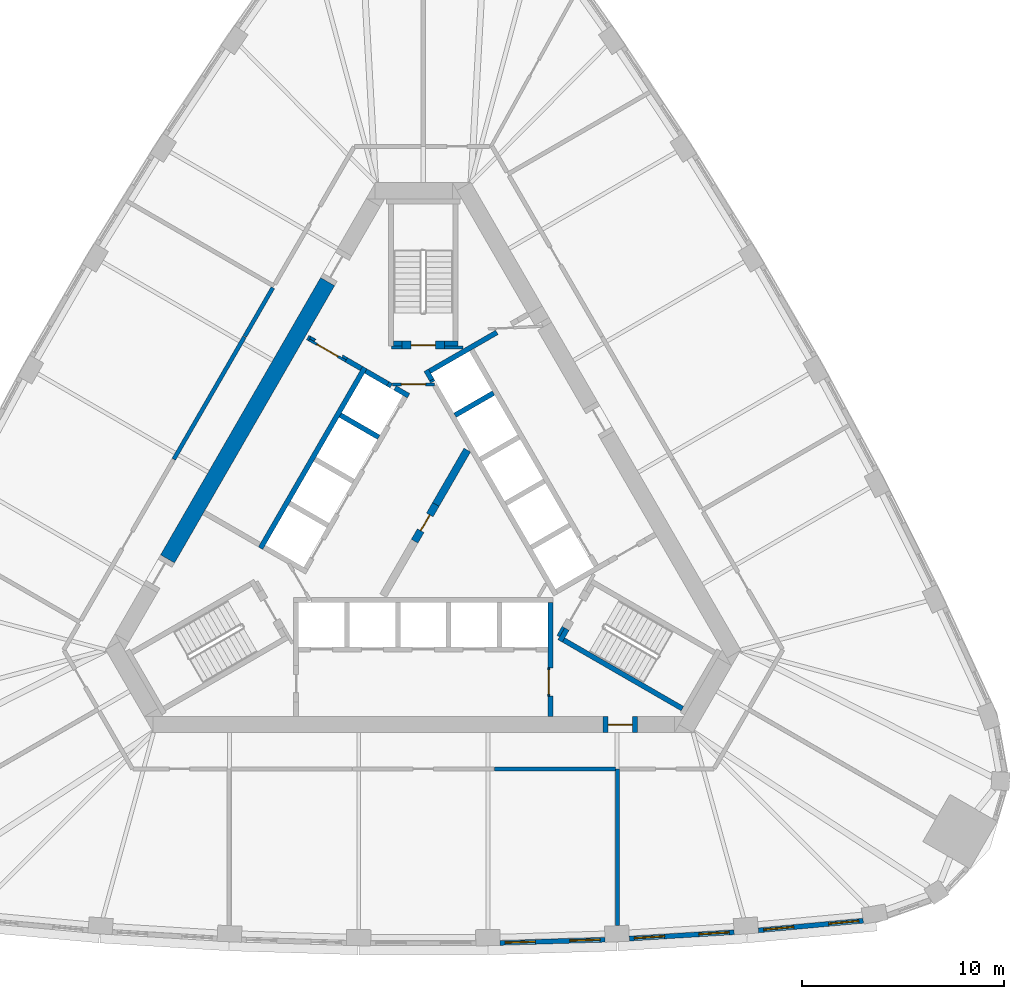
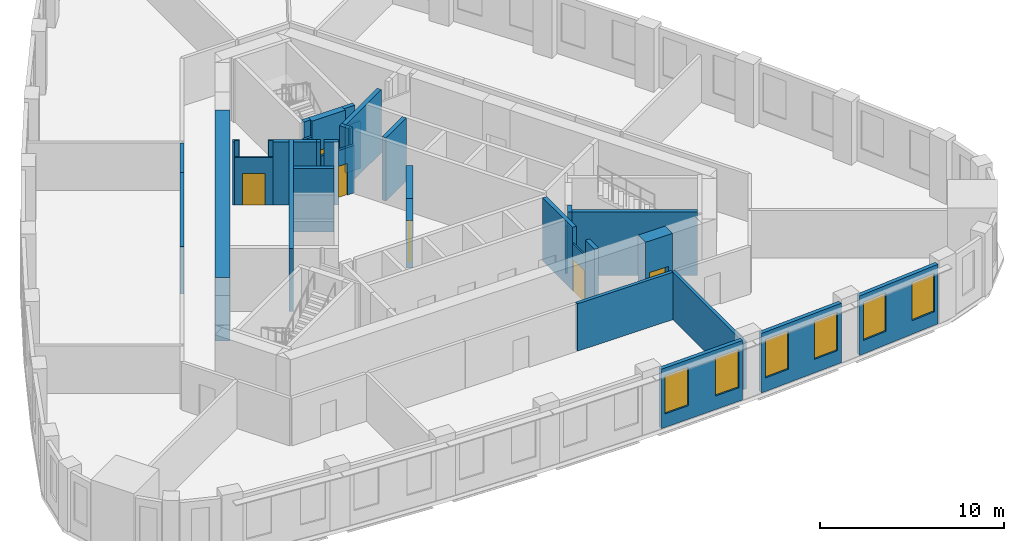
# One storey, part 5 of 9: 37 walls, 6 doors, 6 windows, 12 openings.
"""IFC4 building model written with IfcOpenShell, lengths in metres."""

from ifc_helpers import new_model, si_unit, direction, frame, frame_2d, origin, place, context, subcontext, project, spatial, polyline, rectangle, outline, extrude, material, layer, layer_set, type_object, element, fill, save


model = new_model("IFC4")

# Units and contexts
model_context = context("Model", 3, precision=1e-05, world=origin(), true_north=direction((0.0, 1.0)))
body_context = subcontext(model_context, "Body", "Model", "MODEL_VIEW")
ifc_project = project(units=[si_unit("LENGTHUNIT", "METRE"), si_unit("AREAUNIT", "SQUARE_METRE"), si_unit("VOLUMEUNIT", "CUBIC_METRE"), si_unit("PLANEANGLEUNIT", "RADIAN"), si_unit("MASSUNIT", "GRAM", prefix="KILO")], contexts=[model_context])

# Site, building, storey
site_placement = place(None, origin())
site = spatial("IfcSite", under=ifc_project, at=site_placement, CompositionType="ELEMENT")
building_placement = place(site_placement, origin())
building = spatial("IfcBuilding", under=site, at=building_placement, Name="Mestral Congress Tower", CompositionType="ELEMENT")
storey_placement = place(building_placement, frame((0.0, 0.0, 187.800048828125)))
storey = spatial("IfcBuildingStorey", under=building, at=storey_placement, Name="L44", CompositionType="ELEMENT", Elevation=187.800048828125)

# Walls
ifc_material_1 = material(Name="Fire-rated board partition")
ifc_layer_1 = layer(ifc_material_1, 0.14990234375)
ifc_layer_set_1 = layer_set([ifc_layer_1], Name="Fire-rated board partition")
wall_type_1 = type_object("IfcWallType", Name="Core partition 150", PredefinedType="PARTITIONING", material=ifc_layer_set_1)
wall_1_placement = place(storey_placement, frame((1.050048828125, 8.62548828125, 0.0), z_axis=(0.0, 0.0, 1.0), x_axis=(1.0, 0.0, 0.0)))
element("IfcWall", 1, at=wall_1_placement, inside=storey, type_object=wall_type_1, Name="L44 core wall", PredefinedType="PARTITIONING", context=body_context, shape_type="SweptSolid", body=[
    extrude(rectangle(XDim=0.9287109375, YDim=0.14990234375, at=frame_2d((0.46435546875, 0.0))), origin(), (0.0, 0.0, 1.0), 3.14990234375),
])
for number, where, z_axis, x_axis, name in (
    (2, (-1.56396484375, 8.62548828125, 0.0), (0.0, 0.0, 1.0), (1.0, 0.0, 0.0), "L44 core wall"),
    (3, (6.94482421875, -5.22216796875, 0.0), (0.0, 0.0, 1.0), (-0.499818422106, -0.866130212453, 0.0), "L44 core wall"),
):
    element("IfcWall", number, at=place(storey_placement, frame(where, z_axis=z_axis, x_axis=x_axis)), inside=storey, type_object=wall_type_1, Name=name, PredefinedType="PARTITIONING", context=body_context, shape_type="SweptSolid", body=[
        extrude(rectangle(XDim=0.513916015625, YDim=0.14990234375, at=frame_2d((0.2568359375, 0.0))), origin(), (0.0, 0.0, 1.0), 3.14990234375),
    ])
placement = place(storey_placement, origin())
element("IfcWall", 4, at=placement, inside=storey, type_object=wall_type_1, Name="L44 core wall", PredefinedType="PARTITIONING", context=body_context, shape_type="SweptSolid", body=[
    extrude(outline(polyline([(2.016845703125, 3.64306640625), (2.341552734375, 3.45556640625), (0.784912109375, 0.759521484375), (0.460205078125, 0.947021484375), (2.016845703125, 3.64306640625)])), origin(), (0.0, 0.0, 1.0), 3.14990234375),
])

# Wall, opening, door
wall_3_placement = place(storey_placement, frame((-1.534423828125, 6.800048828125, 0.0), z_axis=(0.0, 0.0, 1.0), x_axis=(1.0, 0.0, 0.0)))
wall_3 = element("IfcWall", 5, at=wall_3_placement, inside=storey, type_object=wall_type_1, Name="L44 door wall", PredefinedType="PARTITIONING", context=body_context, shape_type="SweptSolid", body=[
    extrude(rectangle(XDim=2.099853515625, YDim=0.14990234375, at=frame_2d((1.0498046875, 0.0))), origin(), (0.0, 0.0, 1.0), 3.14990234375),
])
opening_1_placement = place(wall_3_placement, frame((0.449951171875, 0.0, 0.0)))
opening_1 = element("IfcOpeningElement", 6, at=opening_1_placement, cuts=wall_3, Name="Opening CD2-FF", PredefinedType="OPENING", context=body_context, shape_type="SweptSolid", body=[
    extrude(rectangle(XDim=1.199951171875, YDim=2.10009765625, at=frame_2d((0.60009765625, 1.050048828125))), frame((0.0, 0.0849609375, 0.0), z_axis=(0.0, -1.0, 0.0), x_axis=(1.0, 0.0, 0.0)), (0.0, 0.0, 1.0), 0.169921875),
])
ifc_material_2 = material(Name="Fire-rated steel door set", Category="steel")
door_type_1 = type_object("IfcDoorType", Name="Core door CD 1200x2100", OperationType="SINGLE_SWING_LEFT", PredefinedType="DOOR", material=ifc_material_2)
door_1_placement = place(opening_1_placement, origin())
door_1 = element("IfcDoor", 7, at=door_1_placement, inside=storey, type_object=door_type_1, Name="Door CD2-FF", OperationType="SINGLE_SWING_LEFT", OverallHeight=2.10009765625, OverallWidth=1.199951171875, PredefinedType="DOOR", context=body_context, shape_type="SweptSolid", body=[
    extrude(rectangle(XDim=1.199951171875, YDim=2.10009765625, at=frame_2d((0.60009765625, 1.050048828125))), frame((0.0, 0.02490234375, 0.0), z_axis=(0.0, -1.0, 0.0), x_axis=(1.0, 0.0, 0.0)), (0.0, 0.0, 1.0), 0.050048828125),
])
fill(opening_1, door_1)

ifc_layer_2 = layer(ifc_material_1, 0.1201171875)
ifc_layer_set_2 = layer_set([ifc_layer_2], Name="Fire-rated board partition")
wall_type_2 = type_object("IfcWallType", Name="Core partition 150 door-wall 120", PredefinedType="PARTITIONING", material=ifc_layer_set_2)
wall_4_placement = place(storey_placement, frame((-5.65869140625, 9.01171875, 0.0), z_axis=(0.0, 0.0, 1.0), x_axis=(0.866009402589, -0.500027713859, 0.0)))
wall_4 = element("IfcWall", 8, at=wall_4_placement, inside=storey, type_object=wall_type_2, Name="L44 door wall", PredefinedType="PARTITIONING", context=body_context, shape_type="SweptSolid", body=[
    extrude(rectangle(XDim=2.10009765625, YDim=0.1201171875, at=frame_2d((1.050048828125, 0.0))), origin(), (0.0, 0.0, 1.0), 3.14990234375),
])
opening_2_placement = place(wall_4_placement, frame((0.449951171875, 0.0, 0.0)))
opening_2 = element("IfcOpeningElement", 9, at=opening_2_placement, cuts=wall_4, Name="Opening LB2-WL2", PredefinedType="OPENING", context=body_context, shape_type="SweptSolid", body=[
    extrude(rectangle(XDim=1.199951171875, YDim=2.10009765625, at=frame_2d((0.60009765625, 1.050048828125))), frame((0.0, 0.070068359375, 0.0), z_axis=(0.0, -1.0, 0.0), x_axis=(1.0, 0.0, 0.0)), (0.0, 0.0, 1.0), 0.14013671875),
])
door_type_2 = type_object("IfcDoorType", Name="Core door LB 1200x2100", OperationType="SINGLE_SWING_LEFT", PredefinedType="DOOR", material=ifc_material_2)
door_2_placement = place(opening_2_placement, origin())
door_2 = element("IfcDoor", 10, at=door_2_placement, inside=storey, type_object=door_type_2, Name="Door LB2-WL2", OperationType="SINGLE_SWING_LEFT", OverallHeight=2.10009765625, OverallWidth=1.199951171875, PredefinedType="DOOR", context=body_context, shape_type="SweptSolid", body=[
    extrude(rectangle(XDim=1.199951171875, YDim=2.10009765625, at=frame_2d((0.60009765625, 1.050048828125))), frame((0.0, 0.02490234375, 0.0), z_axis=(0.0, -1.0, 0.0), x_axis=(1.0, 0.0, 0.0)), (0.0, 0.0, 1.0), 0.050048828125),
])
fill(opening_2, door_2)

ifc_layer_3 = layer(ifc_material_1, 0.375)
ifc_layer_set_3 = layer_set([ifc_layer_3], Name="Fire-rated board partition")
wall_type_3 = type_object("IfcWallType", Name="Core partition 150 door-wall 375", PredefinedType="PARTITIONING", material=ifc_layer_set_3)
wall_5_placement = place(storey_placement, frame((-0.427490234375, -0.965576171875, 0.0), z_axis=(0.0, 0.0, 1.0), x_axis=(0.49994051562, 0.866059744384, 0.0)))
wall_5 = element("IfcWall", 11, at=wall_5_placement, inside=storey, type_object=wall_type_3, Name="L44 door wall", PredefinedType="PARTITIONING", context=body_context, shape_type="SweptSolid", body=[
    extrude(rectangle(XDim=2.099853515625, YDim=0.375, at=frame_2d((1.0498046875, 0.0))), origin(), (0.0, 0.0, 1.0), 3.14990234375),
])
opening_3_placement = place(wall_5_placement, frame((0.60009765625, 0.0, 0.0)))
opening_3 = element("IfcOpeningElement", 12, at=opening_3_placement, cuts=wall_5, Name="Opening CD1-HUB0", PredefinedType="OPENING", context=body_context, shape_type="SweptSolid", body=[
    extrude(rectangle(XDim=0.89990234375, YDim=2.10009765625, at=frame_2d((0.449951171875, 1.050048828125))), frame((0.0, 0.197509765625, 0.0), z_axis=(0.0, -1.0, 0.0), x_axis=(1.0, 0.0, 0.0)), (0.0, 0.0, 1.0), 0.39501953125),
])
door_type_3 = type_object("IfcDoorType", Name="Core door CD 900x2100", OperationType="SINGLE_SWING_LEFT", PredefinedType="DOOR", material=ifc_material_2)
door_3_placement = place(opening_3_placement, origin())
door_3 = element("IfcDoor", 13, at=door_3_placement, inside=storey, type_object=door_type_3, Name="Door CD1-HUB0", OperationType="SINGLE_SWING_LEFT", OverallHeight=2.10009765625, OverallWidth=0.89990234375, PredefinedType="DOOR", context=body_context, shape_type="SweptSolid", body=[
    extrude(rectangle(XDim=0.89990234375, YDim=2.10009765625, at=frame_2d((0.449951171875, 1.050048828125))), frame((0.0, 0.02490234375, 0.0), z_axis=(0.0, -1.0, 0.0), x_axis=(1.0, 0.0, 0.0)), (0.0, 0.0, 1.0), 0.050048828125),
])
fill(opening_3, door_3)

ifc_layer_4 = layer(ifc_material_1, 0.090087890625)
ifc_layer_set_4 = layer_set([ifc_layer_4], Name="Fire-rated board partition")
wall_type_4 = type_object("IfcWallType", Name="Core partition 150 door-wall 90", PredefinedType="PARTITIONING", material=ifc_layer_set_4)
wall_6_placement = place(storey_placement, frame((6.219970703125, -7.23681640625, 0.0), z_axis=(0.0, 0.0, 1.0), x_axis=(0.0, -1.0, 0.0)))
wall_6 = element("IfcWall", 14, at=wall_6_placement, inside=storey, type_object=wall_type_4, Name="L44 door wall", PredefinedType="PARTITIONING", context=body_context, shape_type="SweptSolid", body=[
    extrude(rectangle(XDim=1.400146484375, YDim=0.090087890625, at=frame_2d((0.7001953125, 0.0))), origin(), (0.0, 0.0, 1.0), 3.14990234375),
])
opening_4_placement = place(wall_6_placement, frame((0.10009765625, 0.0, 0.0)))
opening_4 = element("IfcOpeningElement", 15, at=opening_4_placement, cuts=wall_6, Name="Opening LB0-WL1", PredefinedType="OPENING", context=body_context, shape_type="SweptSolid", body=[
    extrude(rectangle(XDim=1.199951171875, YDim=2.10009765625, at=frame_2d((0.60009765625, 1.050048828125))), frame((0.0, 0.054931640625, 0.0), z_axis=(0.0, -1.0, 0.0), x_axis=(1.0, 0.0, 0.0)), (0.0, 0.0, 1.0), 0.110107421875),
])
door_4_placement = place(opening_4_placement, origin())
door_4 = element("IfcDoor", 16, at=door_4_placement, inside=storey, type_object=door_type_2, Name="Door LB0-WL1", OperationType="SINGLE_SWING_LEFT", OverallHeight=2.10009765625, OverallWidth=1.199951171875, PredefinedType="DOOR", context=body_context, shape_type="SweptSolid", body=[
    extrude(rectangle(XDim=1.199951171875, YDim=2.10009765625, at=frame_2d((0.60009765625, 1.050048828125))), frame((0.0, 0.02490234375, 0.0), z_axis=(0.0, -1.0, 0.0), x_axis=(1.0, 0.0, 0.0)), (0.0, 0.0, 1.0), 0.050048828125),
])
fill(opening_4, door_4)

# Wall
ifc_material_3 = material(Name="Concrete C60/75", Category="concrete")
ifc_layer_5 = layer(ifc_material_3, 0.800048828125)
ifc_layer_set_5 = layer_set([ifc_layer_5], Name="Concrete C60/75")
wall_type_5 = type_object("IfcWallType", Name="Core wall RC 800", PredefinedType="SOLIDWALL", material=ifc_layer_set_5)
wall_7_placement = place(storey_placement, frame((-12.668212890625, -1.841796875, 0.0), z_axis=(0.0, 0.0, 1.0), x_axis=(0.500003640647, 0.866023301845, 0.0)))
element("IfcWall", 17, at=wall_7_placement, inside=storey, type_object=wall_type_5, Name="L44 core wall", PredefinedType="SOLIDWALL", context=body_context, shape_type="SweptSolid", body=[
    extrude(rectangle(XDim=15.8583984375, YDim=0.800048828125, at=frame_2d((7.92919921875, 0.0))), origin(), (0.0, 0.0, 1.0), 4.199951171875),
])

# Wall, opening, door
wall_8_placement = place(storey_placement, frame((10.6044921875, -10.050048828125, 0.0), z_axis=(0.0, 0.0, 1.0), x_axis=(-1.0, 0.0, 0.0)))
wall_8 = element("IfcWall", 18, at=wall_8_placement, inside=storey, type_object=wall_type_5, Name="L44 door wall", PredefinedType="SOLIDWALL", context=body_context, shape_type="SweptSolid", body=[
    extrude(rectangle(XDim=1.699951171875, YDim=0.800048828125, at=frame_2d((0.85009765625, 0.0))), origin(), (0.0, 0.0, 1.0), 4.199951171875),
])
opening_5_placement = place(wall_8_placement, frame((0.25, 0.0, 0.0)))
opening_5 = element("IfcOpeningElement", 19, at=opening_5_placement, cuts=wall_8, Name="Opening XD1", PredefinedType="OPENING", context=body_context, shape_type="SweptSolid", body=[
    extrude(rectangle(XDim=1.199951171875, YDim=2.10009765625, at=frame_2d((0.60009765625, 1.050048828125))), frame((0.0, 0.409912109375, 0.0), z_axis=(0.0, -1.0, 0.0), x_axis=(1.0, 0.0, 0.0)), (0.0, 0.0, 1.0), 0.820068359375),
])
door_type_4 = type_object("IfcDoorType", Name="Core door XD 1200x2100", OperationType="SINGLE_SWING_LEFT", PredefinedType="DOOR", material=ifc_material_2)
door_5_placement = place(opening_5_placement, origin())
door_5 = element("IfcDoor", 20, at=door_5_placement, inside=storey, type_object=door_type_4, Name="Door XD1", OperationType="SINGLE_SWING_LEFT", OverallHeight=2.10009765625, OverallWidth=1.199951171875, PredefinedType="DOOR", context=body_context, shape_type="SweptSolid", body=[
    extrude(rectangle(XDim=1.199951171875, YDim=2.10009765625, at=frame_2d((0.60009765625, 1.050048828125))), frame((0.0, 0.02490234375, 0.0), z_axis=(0.0, -1.0, 0.0), x_axis=(1.0, 0.0, 0.0)), (0.0, 0.0, 1.0), 0.050048828125),
])
fill(opening_5, door_5)

# Wall, openings, windows
ifc_material_4 = material(Name="Precast concrete C40/50 with limestone facing", Category="masonry")
ifc_layer_6 = layer(ifc_material_4, 0.239990234375)
ifc_layer_set_6 = layer_set([ifc_layer_6], Name="Precast concrete C40/50 with limestone facing")
wall_type_6 = type_object("IfcWallType", Name="Facade stone wall 240", PredefinedType="SOLIDWALL", material=ifc_layer_set_6)
wall_9_placement = place(storey_placement, frame((3.80615234375, -20.869873046875, 0.0), z_axis=(0.0, 0.0, 1.0), x_axis=(0.999533441983, 0.030543384845, 0.0)))
wall_9 = element("IfcWall", 21, at=wall_9_placement, inside=storey, type_object=wall_type_6, Name="Facade wall F0-04", PredefinedType="SOLIDWALL", context=body_context, shape_type="SweptSolid", body=[
    extrude(rectangle(XDim=5.20361328125, YDim=0.239990234375, at=frame_2d((2.601806640625, 0.0))), origin(), (0.0, 0.0, 1.0), 3.949951171875),
])
opening_6_placement = place(wall_9_placement, frame((0.248291015625, 0.0, 0.89990234375)))
opening_6 = element("IfcOpeningElement", 22, at=opening_6_placement, cuts=wall_9, Name="Opening W4", PredefinedType="OPENING", context=body_context, shape_type="SweptSolid", body=[
    extrude(rectangle(XDim=1.5, YDim=2.550048828125, at=frame_2d((0.75, 1.27490234375))), frame((0.0, 0.1298828125, 0.0), z_axis=(0.0, -1.0, 0.0), x_axis=(1.0, 0.0, 0.0)), (0.0, 0.0, 1.0), 0.260009765625),
])
opening_7_placement = place(wall_9_placement, frame((3.455078125, 0.0, 0.89990234375)))
opening_7 = element("IfcOpeningElement", 23, at=opening_7_placement, cuts=wall_9, Name="Opening W4", PredefinedType="OPENING", context=body_context, shape_type="SweptSolid", body=[
    extrude(rectangle(XDim=1.5, YDim=2.550048828125, at=frame_2d((0.75, 1.27490234375))), frame((0.0, 0.1298828125, 0.0), z_axis=(0.0, -1.0, 0.0), x_axis=(1.0, 0.0, 0.0)), (0.0, 0.0, 1.0), 0.260009765625),
])
ifc_material_5 = material(Name="Clear low-emissivity double glazing", Category="glass")
window_type = type_object("IfcWindowType", Name="Facade punched window 1500 x 2550 sill 900", PartitioningType="SINGLE_PANEL", PredefinedType="WINDOW", material=ifc_material_5)
window_1_placement = place(opening_6_placement, origin())
window_1 = element("IfcWindow", 24, at=window_1_placement, inside=storey, type_object=window_type, Name="Window F0-04a", OverallHeight=2.550048828125, OverallWidth=1.5, PartitioningType="SINGLE_PANEL", PredefinedType="WINDOW", context=body_context, shape_type="SweptSolid", body=[
    extrude(rectangle(XDim=1.5, YDim=2.550048828125, at=frame_2d((0.75, 1.27490234375))), frame((0.0, 0.0400390625, 0.0), z_axis=(0.0, -1.0, 0.0), x_axis=(1.0, 0.0, 0.0)), (0.0, 0.0, 1.0), 0.06005859375),
])
fill(opening_6, window_1)
window_2_placement = place(opening_7_placement, origin())
window_2 = element("IfcWindow", 25, at=window_2_placement, inside=storey, type_object=window_type, Name="Window F0-04b", OverallHeight=2.550048828125, OverallWidth=1.5, PartitioningType="SINGLE_PANEL", PredefinedType="WINDOW", context=body_context, shape_type="SweptSolid", body=[
    extrude(rectangle(XDim=1.5, YDim=2.550048828125, at=frame_2d((0.75, 1.27490234375))), frame((0.0, 0.0400390625, 0.0), z_axis=(0.0, -1.0, 0.0), x_axis=(1.0, 0.0, 0.0)), (0.0, 0.0, 1.0), 0.06005859375),
])
fill(opening_7, window_2)

wall_10_placement = place(storey_placement, frame((10.210693359375, -20.656005859375, 0.0), z_axis=(0.0, 0.0, 1.0), x_axis=(0.998135294646, 0.061040425794, 0.0)))
wall_10 = element("IfcWall", 26, at=wall_10_placement, inside=storey, type_object=wall_type_6, Name="Facade wall F0-05", PredefinedType="SOLIDWALL", context=body_context, shape_type="SweptSolid", body=[
    extrude(rectangle(XDim=5.20361328125, YDim=0.239990234375, at=frame_2d((2.601806640625, 0.0))), origin(), (0.0, 0.0, 1.0), 3.949951171875),
])
opening_8_placement = place(wall_10_placement, frame((0.248291015625, 0.0, 0.89990234375)))
opening_8 = element("IfcOpeningElement", 27, at=opening_8_placement, cuts=wall_10, Name="Opening W4", PredefinedType="OPENING", context=body_context, shape_type="SweptSolid", body=[
    extrude(rectangle(XDim=1.5, YDim=2.550048828125, at=frame_2d((0.75, 1.27490234375))), frame((0.0, 0.1298828125, 0.0), z_axis=(0.0, -1.0, 0.0), x_axis=(1.0, 0.0, 0.0)), (0.0, 0.0, 1.0), 0.260009765625),
])
opening_9_placement = place(wall_10_placement, frame((3.455078125, 0.0, 0.89990234375)))
opening_9 = element("IfcOpeningElement", 28, at=opening_9_placement, cuts=wall_10, Name="Opening W4", PredefinedType="OPENING", context=body_context, shape_type="SweptSolid", body=[
    extrude(rectangle(XDim=1.5, YDim=2.550048828125, at=frame_2d((0.75, 1.27490234375))), frame((0.0, 0.1298828125, 0.0), z_axis=(0.0, -1.0, 0.0), x_axis=(1.0, 0.0, 0.0)), (0.0, 0.0, 1.0), 0.260009765625),
])
window_3_placement = place(opening_8_placement, origin())
window_3 = element("IfcWindow", 29, at=window_3_placement, inside=storey, type_object=window_type, Name="Window F0-05a", OverallHeight=2.550048828125, OverallWidth=1.5, PartitioningType="SINGLE_PANEL", PredefinedType="WINDOW", context=body_context, shape_type="SweptSolid", body=[
    extrude(rectangle(XDim=1.5, YDim=2.550048828125, at=frame_2d((0.75, 1.27490234375))), frame((0.0, 0.0400390625, 0.0), z_axis=(0.0, -1.0, 0.0), x_axis=(1.0, 0.0, 0.0)), (0.0, 0.0, 1.0), 0.06005859375),
])
fill(opening_8, window_3)
window_4_placement = place(opening_9_placement, origin())
window_4 = element("IfcWindow", 30, at=window_4_placement, inside=storey, type_object=window_type, Name="Window F0-05b", OverallHeight=2.550048828125, OverallWidth=1.5, PartitioningType="SINGLE_PANEL", PredefinedType="WINDOW", context=body_context, shape_type="SweptSolid", body=[
    extrude(rectangle(XDim=1.5, YDim=2.550048828125, at=frame_2d((0.75, 1.27490234375))), frame((0.0, 0.0400390625, 0.0), z_axis=(0.0, -1.0, 0.0), x_axis=(1.0, 0.0, 0.0)), (0.0, 0.0, 1.0), 0.06005859375),
])
fill(opening_9, window_4)

wall_11_placement = place(storey_placement, frame((16.605712890625, -20.24658203125, 0.0), z_axis=(0.0, 0.0, 1.0), x_axis=(0.995808712151, 0.091460422067, 0.0)))
wall_11 = element("IfcWall", 31, at=wall_11_placement, inside=storey, type_object=wall_type_6, Name="Facade wall F0-06", PredefinedType="SOLIDWALL", context=body_context, shape_type="SweptSolid", body=[
    extrude(rectangle(XDim=5.213134765625, YDim=0.239990234375, at=frame_2d((2.6064453125, 0.0))), origin(), (0.0, 0.0, 1.0), 3.949951171875),
])
opening_10_placement = place(wall_11_placement, frame((0.2607421875, 0.0, 0.89990234375)))
opening_10 = element("IfcOpeningElement", 32, at=opening_10_placement, cuts=wall_11, Name="Opening W4", PredefinedType="OPENING", context=body_context, shape_type="SweptSolid", body=[
    extrude(rectangle(XDim=1.5, YDim=2.550048828125, at=frame_2d((0.75, 1.27490234375))), frame((0.0, 0.1298828125, 0.0), z_axis=(0.0, -1.0, 0.0), x_axis=(1.0, 0.0, 0.0)), (0.0, 0.0, 1.0), 0.260009765625),
])
opening_11_placement = place(wall_11_placement, frame((3.492431640625, 0.0, 0.89990234375)))
opening_11 = element("IfcOpeningElement", 33, at=opening_11_placement, cuts=wall_11, Name="Opening W4", PredefinedType="OPENING", context=body_context, shape_type="SweptSolid", body=[
    extrude(rectangle(XDim=1.5, YDim=2.550048828125, at=frame_2d((0.75, 1.27490234375))), frame((0.0, 0.1298828125, 0.0), z_axis=(0.0, -1.0, 0.0), x_axis=(1.0, 0.0, 0.0)), (0.0, 0.0, 1.0), 0.260009765625),
])
window_5_placement = place(opening_10_placement, origin())
window_5 = element("IfcWindow", 34, at=window_5_placement, inside=storey, type_object=window_type, Name="Window F0-06a", OverallHeight=2.550048828125, OverallWidth=1.5, PartitioningType="SINGLE_PANEL", PredefinedType="WINDOW", context=body_context, shape_type="SweptSolid", body=[
    extrude(rectangle(XDim=1.5, YDim=2.550048828125, at=frame_2d((0.75, 1.27490234375))), frame((0.0, 0.0400390625, 0.0), z_axis=(0.0, -1.0, 0.0), x_axis=(1.0, 0.0, 0.0)), (0.0, 0.0, 1.0), 0.06005859375),
])
fill(opening_10, window_5)
window_6_placement = place(opening_11_placement, origin())
window_6 = element("IfcWindow", 35, at=window_6_placement, inside=storey, type_object=window_type, Name="Window F0-06b", OverallHeight=2.550048828125, OverallWidth=1.5, PartitioningType="SINGLE_PANEL", PredefinedType="WINDOW", context=body_context, shape_type="SweptSolid", body=[
    extrude(rectangle(XDim=1.5, YDim=2.550048828125, at=frame_2d((0.75, 1.27490234375))), frame((0.0, 0.0400390625, 0.0), z_axis=(0.0, -1.0, 0.0), x_axis=(1.0, 0.0, 0.0)), (0.0, 0.0, 1.0), 0.06005859375),
])
fill(opening_11, window_6)

# Walls
ifc_material_6 = material(Name="Dense masonry wall, plastered", Category="masonry")
ifc_layer_7 = layer(ifc_material_6, 0.199951171875)
ifc_layer_set_7 = layer_set([ifc_layer_7], Name="Dense masonry wall, plastered")
wall_type_7 = type_object("IfcWallType", Name="Office tenancy wall 200", PredefinedType="PARTITIONING", material=ifc_layer_set_7)
wall_12_placement = place(storey_placement, frame((9.6171875, -12.25, 0.0), z_axis=(0.0, 0.0, 1.0), x_axis=(0.0, -1.0, 0.0)))
element("IfcWall", 36, at=wall_12_placement, inside=storey, type_object=wall_type_7, Name="Tenancy wall", PredefinedType="PARTITIONING", context=body_context, shape_type="SweptSolid", body=[
    extrude(rectangle(XDim=7.761474609375, YDim=0.199951171875, at=frame_2d((3.880859375, 0.0))), origin(), (0.0, 0.0, 1.0), 3.14990234375),
])
wall_13_placement = place(storey_placement, frame((3.530029296875, -12.25, 0.0), z_axis=(0.0, 0.0, 1.0), x_axis=(1.0, 0.0, 0.0)))
element("IfcWall", 37, at=wall_13_placement, inside=storey, type_object=wall_type_7, Name="Tenancy wall", PredefinedType="PARTITIONING", context=body_context, shape_type="SweptSolid", body=[
    extrude(rectangle(XDim=5.987060546875, YDim=0.199951171875, at=frame_2d((2.99365234375, 0.0))), origin(), (0.0, 0.0, 1.0), 3.14990234375),
])
wall_14_placement = place(storey_placement, frame((-8.85888671875, 9.156005859375, 0.0), z_axis=(0.0, 0.0, 1.0), x_axis=(-0.500010275428, -0.866019471182, 0.0)))
element("IfcWall", 38, at=wall_14_placement, inside=storey, type_object=wall_type_7, Name="Tenancy wall", PredefinedType="PARTITIONING", context=body_context, shape_type="SweptSolid", body=[
    extrude(rectangle(XDim=6.999755859375, YDim=0.199951171875, at=frame_2d((3.5, 0.0))), origin(), (0.0, 0.0, 1.0), 3.14990234375),
])
wall_15_placement = place(storey_placement, frame((-7.452880859375, 11.59130859375, 0.0), z_axis=(0.0, 0.0, 1.0), x_axis=(-0.499980749935, -0.866036517529, 0.0)))
element("IfcWall", 39, at=wall_15_placement, inside=storey, type_object=wall_type_7, Name="Tenancy wall", PredefinedType="PARTITIONING", context=body_context, shape_type="SweptSolid", body=[
    extrude(rectangle(XDim=2.78173828125, YDim=0.199951171875, at=frame_2d((1.390869140625, 0.0))), origin(), (0.0, 0.0, 1.0), 3.14990234375),
])
ifc_layer_8 = layer(ifc_material_3, 0.25)
ifc_layer_set_8 = layer_set([ifc_layer_8], Name="Concrete C60/75")
wall_type_8 = type_object("IfcWallType", Name="Shaft wall RC 250", PredefinedType="SOLIDWALL", material=ifc_layer_set_8)
wall_16_placement = place(storey_placement, frame((6.300048828125, -7.239990234375, 0.0), z_axis=(0.0, 0.0, 1.0), x_axis=(0.0, 1.0, 0.0)))
element("IfcWall", 40, at=wall_16_placement, inside=storey, type_object=wall_type_8, Name="L44 core wall", PredefinedType="SOLIDWALL", context=body_context, shape_type="SweptSolid", body=[
    extrude(rectangle(XDim=3.239990234375, YDim=0.25, at=frame_2d((1.6201171875, 0.0))), origin(), (0.0, 0.0, 1.0), 4.199951171875),
])
wall_17_placement = place(storey_placement, frame((6.300048828125, -9.64990234375, 0.0), z_axis=(0.0, 0.0, 1.0), x_axis=(0.0, 1.0, 0.0)))
element("IfcWall", 41, at=wall_17_placement, inside=storey, type_object=wall_type_8, Name="L44 core wall", PredefinedType="SOLIDWALL", context=body_context, shape_type="SweptSolid", body=[
    extrude(rectangle(XDim=1.0078125, YDim=0.25, at=frame_2d((0.50390625, 0.0))), origin(), (0.0, 0.0, 1.0), 4.199951171875),
])
wall_18_placement = place(storey_placement, frame((0.473388671875, 6.93017578125, 0.0), z_axis=(0.0, 0.0, 1.0), x_axis=(-0.49972245349, 0.866185586049, 0.0)))
element("IfcWall", 42, at=wall_18_placement, inside=storey, type_object=wall_type_8, Name="L44 core wall", PredefinedType="SOLIDWALL", context=body_context, shape_type="SweptSolid", body=[
    extrude(rectangle(XDim=0.10986328125, YDim=0.25, at=frame_2d((0.054931640625, 0.0))), origin(), (0.0, 0.0, 1.0), 4.199951171875),
])
wall_19_placement = place(storey_placement, frame((0.41748046875, 7.027099609375, 0.0), z_axis=(0.0, 0.0, 1.0), x_axis=(-0.500210807569, 0.865903659763, 0.0)))
element("IfcWall", 43, at=wall_19_placement, inside=storey, type_object=wall_type_8, Name="L44 core wall", PredefinedType="SOLIDWALL", context=body_context, shape_type="SweptSolid", body=[
    extrude(rectangle(XDim=0.548095703125, YDim=0.25, at=frame_2d((0.27392578125, 0.0))), origin(), (0.0, 0.0, 1.0), 4.199951171875),
])
wall_20_placement = place(storey_placement, frame((3.647216796875, 9.38037109375, 0.0), z_axis=(0.0, 0.0, 1.0), x_axis=(-0.866025015791, -0.500000672024, 0.0)))
element("IfcWall", 44, at=wall_20_placement, inside=storey, type_object=wall_type_8, Name="L44 core wall", PredefinedType="SOLIDWALL", context=body_context, shape_type="SweptSolid", body=[
    extrude(rectangle(XDim=3.8486328125, YDim=0.25, at=frame_2d((1.92431640625, 0.0))), origin(), (0.0, 0.0, 1.0), 4.199951171875),
])
wall_21_placement = place(storey_placement, frame((1.57421875, 5.273681640625, 0.0), z_axis=(0.0, 0.0, 1.0), x_axis=(0.866028486751, 0.499994660107, 0.0)))
element("IfcWall", 45, at=wall_21_placement, inside=storey, type_object=wall_type_8, Name="L44 core wall", PredefinedType="SOLIDWALL", context=body_context, shape_type="SweptSolid", body=[
    extrude(rectangle(XDim=2.19970703125, YDim=0.25, at=frame_2d((1.099853515625, 0.0))), origin(), (0.0, 0.0, 1.0), 4.199951171875),
])
wall_22_placement = place(storey_placement, frame((-8.06005859375, -1.310546875, 0.0), z_axis=(0.0, 0.0, 1.0), x_axis=(0.50000273126, 0.866023826885, 0.0)))
element("IfcWall", 46, at=wall_22_placement, inside=storey, type_object=wall_type_8, Name="L44 core wall", PredefinedType="SOLIDWALL", context=body_context, shape_type="SweptSolid", body=[
    extrude(rectangle(XDim=10.330078125, YDim=0.25, at=frame_2d((5.1650390625, 0.0))), origin(), (0.0, 0.0, 1.0), 4.199951171875),
])
wall_23_placement = place(storey_placement, frame((-1.75830078125, 6.834716796875, 0.0), z_axis=(0.0, 0.0, 1.0), x_axis=(0.865982457891, -0.500074377092, 0.0)))
element("IfcWall", 47, at=wall_23_placement, inside=storey, type_object=wall_type_8, Name="L44 core wall", PredefinedType="SOLIDWALL", context=body_context, shape_type="SweptSolid", body=[
    extrude(rectangle(XDim=0.2001953125, YDim=0.25, at=frame_2d((0.10009765625, 0.0))), origin(), (0.0, 0.0, 1.0), 4.199951171875),
])
wall_24_placement = place(storey_placement, frame((-1.760009765625, 6.835693359375, 0.0), z_axis=(0.0, 0.0, 1.0), x_axis=(-0.865952863304, 0.500125622755, 0.0)))
element("IfcWall", 48, at=wall_24_placement, inside=storey, type_object=wall_type_8, Name="L44 core wall", PredefinedType="SOLIDWALL", context=body_context, shape_type="SweptSolid", body=[
    extrude(rectangle(XDim=1.258056640625, YDim=0.25, at=frame_2d((0.62890625, 0.0))), origin(), (0.0, 0.0, 1.0), 4.199951171875),
])
wall_25_placement = place(storey_placement, frame((-0.7275390625, 6.23974609375, 0.0), z_axis=(0.0, 0.0, 1.0), x_axis=(-0.865955664968, 0.500120771724, 0.0)))
element("IfcWall", 49, at=wall_25_placement, inside=storey, type_object=wall_type_8, Name="L44 core wall", PredefinedType="SOLIDWALL", context=body_context, shape_type="SweptSolid", body=[
    extrude(rectangle(XDim=0.778076171875, YDim=0.25, at=frame_2d((0.38916015625, 0.0))), origin(), (0.0, 0.0, 1.0), 4.199951171875),
])
wall_26_placement = place(storey_placement, frame((-2.2041015625, 4.182373046875, 0.0), z_axis=(0.0, 0.0, 1.0), x_axis=(-0.866008176907, 0.50002983664, 0.0)))
element("IfcWall", 50, at=wall_26_placement, inside=storey, type_object=wall_type_8, Name="L44 core wall", PredefinedType="SOLIDWALL", context=body_context, shape_type="SweptSolid", body=[
    extrude(rectangle(XDim=2.199951171875, YDim=0.25, at=frame_2d((1.10009765625, 0.0))), origin(), (0.0, 0.0, 1.0), 4.199951171875),
])
wall_27_placement = place(storey_placement, frame((-5.724609375, 9.124755859375, 0.0), z_axis=(0.0, 0.0, 1.0), x_axis=(0.866185586049, -0.49972245349, 0.0)))
element("IfcWall", 51, at=wall_27_placement, inside=storey, type_object=wall_type_8, Name="L44 core wall", PredefinedType="SOLIDWALL", context=body_context, shape_type="SweptSolid", body=[
    extrude(rectangle(XDim=0.10986328125, YDim=0.25, at=frame_2d((0.054931640625, 0.0))), origin(), (0.0, 0.0, 1.0), 4.199951171875),
])
wall_28_placement = place(storey_placement, frame((-3.06591796875, 7.58984375, 0.0), z_axis=(0.0, 0.0, 1.0), x_axis=(-0.866081358704, 0.49990307071, 0.0)))
element("IfcWall", 52, at=wall_28_placement, inside=storey, type_object=wall_type_8, Name="L44 core wall", PredefinedType="SOLIDWALL", context=body_context, shape_type="SweptSolid", body=[
    extrude(rectangle(XDim=0.858154296875, YDim=0.25, at=frame_2d((0.42919921875, 0.0))), origin(), (0.0, 0.0, 1.0), 4.199951171875),
])
element("IfcWall", 53, at=placement, inside=storey, type_object=wall_type_8, Name="L44 core wall", PredefinedType="SOLIDWALL", context=body_context, shape_type="SweptSolid", body=[
    extrude(outline(polyline([(-3.748291015625, 8.1279296875), (-3.813232421875, 8.015380859375), (-4.026611328125, 8.138671875), (-4.0166015625, 8.156005859375), (-4.007568359375, 8.17333984375), (-4.000244140625, 8.191650390625), (-3.994873046875, 8.21044921875), (-3.991455078125, 8.229736328125), (-3.98974609375, 8.24951171875), (-3.989990234375, 8.267578125), (-3.748291015625, 8.1279296875)])), origin(), (0.0, 0.0, 1.0), 4.199951171875),
])
element("IfcWall", 54, at=placement, inside=storey, type_object=wall_type_8, Name="L44 core wall", PredefinedType="SOLIDWALL", context=body_context, shape_type="SweptSolid", body=[
    extrude(outline(polyline([(-5.688720703125, 8.959716796875), (-5.690185546875, 8.960693359375), (-5.565185546875, 9.177001953125), (-5.318603515625, 9.03466796875), (-5.334716796875, 9.02587890625), (-5.3505859375, 9.0146484375), (-5.36572265625, 9.001953125), (-5.37939453125, 8.98779296875), (-5.3916015625, 8.972412109375), (-5.402099609375, 8.955810546875), (-5.412109375, 8.938720703125), (-5.628662109375, 9.063720703125), (-5.628662109375, 9.063720703125), (-5.688720703125, 8.959716796875)])), origin(), (0.0, 0.0, 1.0), 4.199951171875),
])
ifc_layer_9 = layer(ifc_material_3, 0.25)
ifc_layer_set_9 = layer_set([ifc_layer_9], Name="Concrete C60/75")
wall_type_9 = type_object("IfcWallType", Name="Stair wall RC 250", PredefinedType="SOLIDWALL", material=ifc_layer_set_9)
wall_31_placement = place(storey_placement, frame((12.83984375, -9.2607421875, 0.0), z_axis=(0.0, 0.0, 1.0), x_axis=(-0.866013990052, 0.500019768644, 0.0)))
element("IfcWall", 55, at=wall_31_placement, inside=storey, type_object=wall_type_9, Name="L44 core wall", PredefinedType="SOLIDWALL", context=body_context, shape_type="SweptSolid", body=[
    extrude(rectangle(XDim=6.800048828125, YDim=0.25, at=frame_2d((3.39990234375, 0.0))), origin(), (0.0, 0.0, 1.0), 4.199951171875),
])
for number, where, z_axis, x_axis, name in (
    (56, (6.780029296875, -5.906494140625, 0.0), (0.0, 0.0, 1.0), (0.500223362819, 0.865896406789, 0.0), "L44 core wall"),
    (57, (1.050048828125, 8.824951171875, 0.0), (0.0, 0.0, 1.0), (1.0, 0.0, 0.0), "L44 core wall"),
):
    element("IfcWall", number, at=place(storey_placement, frame(where, z_axis=z_axis, x_axis=x_axis)), inside=storey, type_object=wall_type_9, Name=name, PredefinedType="SOLIDWALL", context=body_context, shape_type="SweptSolid", body=[
        extrude(rectangle(XDim=0.675048828125, YDim=0.25, at=frame_2d((0.33740234375, 0.0))), origin(), (0.0, 0.0, 1.0), 4.199951171875),
    ])
wall_32_placement = place(storey_placement, frame((-1.47509765625, 8.824951171875, 0.0), z_axis=(0.0, 0.0, 1.0), x_axis=(1.0, 0.0, 0.0)))
element("IfcWall", 58, at=wall_32_placement, inside=storey, type_object=wall_type_9, Name="L44 core wall", PredefinedType="SOLIDWALL", context=body_context, shape_type="SweptSolid", body=[
    extrude(rectangle(XDim=0.425048828125, YDim=0.25, at=frame_2d((0.21240234375, 0.0))), origin(), (0.0, 0.0, 1.0), 4.199951171875),
])

# Wall, opening, door
ifc_layer_10 = layer(ifc_material_3, 0.39990234375)
ifc_layer_set_10 = layer_set([ifc_layer_10], Name="Concrete C60/75")
wall_type_10 = type_object("IfcWallType", Name="Stair wall RC 250 door-wall 400", PredefinedType="SOLIDWALL", material=ifc_layer_set_10)
wall_33_placement = place(storey_placement, frame((1.050048828125, 8.75, 0.0), z_axis=(0.0, 0.0, 1.0), x_axis=(-1.0, 0.0, 0.0)))
wall_33 = element("IfcWall", 59, at=wall_33_placement, inside=storey, type_object=wall_type_10, Name="L44 door wall", PredefinedType="SOLIDWALL", context=body_context, shape_type="SweptSolid", body=[
    extrude(rectangle(XDim=2.10009765625, YDim=0.39990234375, at=frame_2d((1.050048828125, 0.0))), origin(), (0.0, 0.0, 1.0), 4.199951171875),
])
opening_12_placement = place(wall_33_placement, frame((0.449951171875, 0.0, 0.0)))
opening_12 = element("IfcOpeningElement", 60, at=opening_12_placement, cuts=wall_33, Name="Opening ST-D2", PredefinedType="OPENING", context=body_context, shape_type="SweptSolid", body=[
    extrude(rectangle(XDim=1.199951171875, YDim=2.10009765625, at=frame_2d((0.60009765625, 1.050048828125))), frame((0.0, 0.2099609375, 0.0), z_axis=(0.0, -1.0, 0.0), x_axis=(1.0, 0.0, 0.0)), (0.0, 0.0, 1.0), 0.419921875),
])
door_type_5 = type_object("IfcDoorType", Name="Core door ST 1200x2100", OperationType="SINGLE_SWING_LEFT", PredefinedType="DOOR", material=ifc_material_2)
door_6_placement = place(opening_12_placement, origin())
door_6 = element("IfcDoor", 61, at=door_6_placement, inside=storey, type_object=door_type_5, Name="Door ST-D2", OperationType="SINGLE_SWING_LEFT", OverallHeight=2.10009765625, OverallWidth=1.199951171875, PredefinedType="DOOR", context=body_context, shape_type="SweptSolid", body=[
    extrude(rectangle(XDim=1.199951171875, YDim=2.10009765625, at=frame_2d((0.60009765625, 1.050048828125))), frame((0.0, 0.02490234375, 0.0), z_axis=(0.0, -1.0, 0.0), x_axis=(1.0, 0.0, 0.0)), (0.0, 0.0, 1.0), 0.050048828125),
])
fill(opening_12, door_6)

save(model, "model.ifc")
